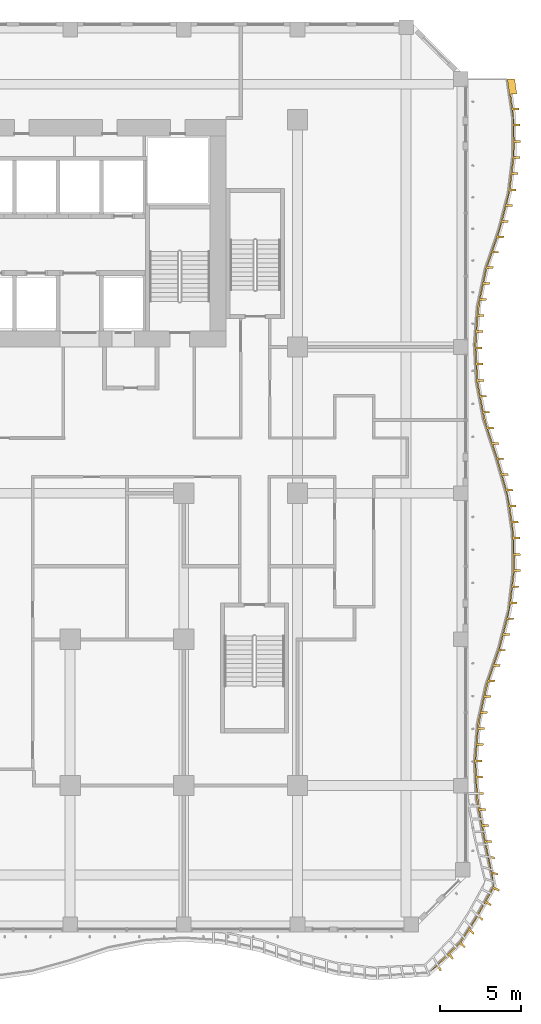
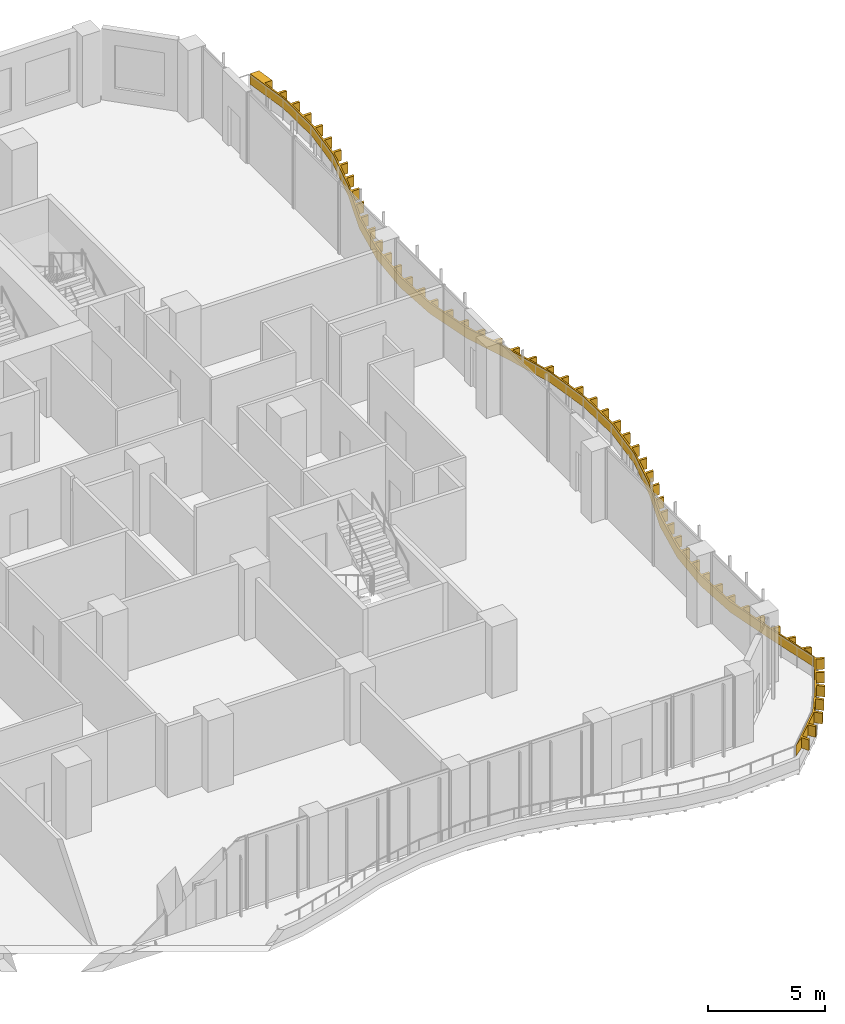
# One storey, part 25 of 28: 1 shading device.
"""IFC4 building model written with IfcOpenShell, lengths in metres."""

from ifc_helpers import new_model, si_unit, direction, frame, origin, place, context, subcontext, project, spatial, polyline, outline, extrude, source, transform, mapped, material, layer, layer_set, type_object, element, save


model = new_model("IFC4")

# Units and contexts
model_context = context("Model", 3, precision=1e-05, world=origin(), true_north=direction((0.0, 1.0)))
body_context = subcontext(model_context, "Body", "Model", "MODEL_VIEW")
ifc_project = project(units=[si_unit("LENGTHUNIT", "METRE"), si_unit("AREAUNIT", "SQUARE_METRE"), si_unit("VOLUMEUNIT", "CUBIC_METRE"), si_unit("PLANEANGLEUNIT", "RADIAN"), si_unit("MASSUNIT", "GRAM", prefix="KILO")], contexts=[model_context])

# Site, building, storey
site_placement = place(None, origin())
site = spatial("IfcSite", under=ifc_project, at=site_placement, CompositionType="ELEMENT")
building_placement = place(site_placement, origin())
building = spatial("IfcBuilding", under=site, at=building_placement, Name="Kilnfold Tower and Market Hall", CompositionType="ELEMENT")
storey_placement = place(building_placement, frame((0.0, 0.0, 87.199951171875)))
storey = spatial("IfcBuildingStorey", under=building, at=storey_placement, Name="L20", CompositionType="ELEMENT", Elevation=87.199951171875)

# Shading device
ifc_material = material(Name="Bronze anodised aluminium", Category="aluminium")
ifc_layer = layer(ifc_material, 0.550048828125)
ifc_layer_set = layer_set([ifc_layer], Name="Bronze anodised aluminium")
shading_device_type = type_object("IfcShadingDeviceType", Name="BRONZE SLAT FASCIA 550", PredefinedType="USERDEFINED", material=ifc_layer_set)
shared_shape = source(origin(), body_context, "Body", "SweptSolid", [
    extrude(outline(polyline([(31.275634765625, -30.4384765625), (31.1015625, -30.1162109375), (30.584228515625, -30.521484375), (32.484619140625, -28.651123046875), (33.4052734375, -27.238525390625), (34.57666015625, -25.153076171875), (33.94677734375, -22.166748046875), (33.518310546875, -19.833251953125), (33.402099609375, -17.5), (33.5927734375, -15.166748046875), (34.099853515625, -12.833251953125), (34.903564453125, -10.5), (35.501220703125, -8.166748046875), (35.7763671875, -5.833251953125), (35.743896484375, -3.5), (35.402099609375, -1.166748046875), (34.732421875, 1.166748046875), (33.964599609375, 3.5), (33.526611328125, 5.833251953125), (33.4013671875, 8.166748046875), (33.58251953125, 10.5), (34.07958984375, 12.833251953125), (34.880126953125, 15.166748046875), (35.48779296875, 17.5), (35.7724609375, 19.833251953125), (35.74951171875, 22.166748046875), (35.417236328125, 24.5), (35.8671875, 24.5), (35.997314453125, 23.5859375), (35.627197265625, 23.5859375), (35.75146484375, 22.714599609375), (36.121337890625, 22.714599609375), (36.13818359375, 22.595947265625), (35.768310546875, 22.595947265625), (35.833740234375, 21.72021484375), (36.203857421875, 21.72021484375), (36.205078125, 21.60009765625), (35.8349609375, 21.60009765625), (35.84375, 20.72021484375), (36.213623046875, 20.72021484375), (36.21484375, 20.600341796875), (35.844970703125, 20.600341796875), (35.8388671875, 19.72119140625), (36.208740234375, 19.72119140625), (36.1943359375, 19.60205078125), (35.82421875, 19.60205078125), (35.7177734375, 18.728515625), (36.087646484375, 18.728515625), (36.0732421875, 18.609375), (35.703125, 18.609375), (35.5966796875, 17.73583984375), (35.966796875, 17.73583984375), (35.9521484375, 17.61669921875), (35.58203125, 17.61669921875), (35.375732421875, 16.76220703125), (35.74560546875, 16.76220703125), (35.715576171875, 16.64599609375), (35.345458984375, 16.64599609375), (35.12353515625, 15.79443359375), (35.49365234375, 15.79443359375), (35.46337890625, 15.678466796875), (35.093505859375, 15.678466796875), (34.84619140625, 14.83447265625), (35.216064453125, 14.83447265625), (35.17724609375, 14.720947265625), (34.80712890625, 14.720947265625), (34.521728515625, 13.888671875), (34.8916015625, 13.888671875), (34.852783203125, 13.77490234375), (34.482666015625, 13.77490234375), (34.197265625, 12.942626953125), (34.567138671875, 12.942626953125), (34.52880859375, 12.8291015625), (34.15869140625, 12.8291015625), (33.975341796875, 11.96826171875), (34.34521484375, 11.96826171875), (34.3203125, 11.85107421875), (33.9501953125, 11.85107421875), (33.766845703125, 10.990234375), (34.136962890625, 10.990234375), (34.11181640625, 10.872802734375), (33.741943359375, 10.872802734375), (33.623779296875, 10.002685546875), (33.993896484375, 10.002685546875), (33.984619140625, 9.88330078125), (33.614501953125, 9.88330078125), (33.54638671875, 9.005859375), (33.91650390625, 9.005859375), (33.906982421875, 8.88623046875), (33.537109375, 8.88623046875), (33.48974609375, 8.008544921875), (33.85986328125, 8.008544921875), (33.8662109375, 7.888671875), (33.49609375, 7.888671875), (33.54345703125, 7.010009765625), (33.913330078125, 7.010009765625), (33.919921875, 6.89013671875), (33.5498046875, 6.89013671875), (33.596923828125, 6.011474609375), (33.966796875, 6.011474609375), (33.973388671875, 5.8916015625), (33.603515625, 5.8916015625), (33.758056640625, 5.02587890625), (34.128173828125, 5.02587890625), (34.150390625, 4.907958984375), (33.7802734375, 4.907958984375), (33.942626953125, 4.04296875), (34.312744140625, 4.04296875), (34.3349609375, 3.925048828125), (33.96484375, 3.925048828125), (34.1845703125, 3.074951171875), (34.554443359375, 3.074951171875), (34.592041015625, 2.9609375), (34.221923828125, 2.9609375), (34.4970703125, 2.125), (34.866943359375, 2.125), (34.904541015625, 2.010986328125), (34.534423828125, 2.010986328125), (34.8095703125, 1.175048828125), (35.179443359375, 1.175048828125), (35.182373046875, 1.166748046875), (35.212890625, 1.059814453125), (34.843017578125, 1.059814453125), (35.085693359375, 0.214111328125), (35.455810546875, 0.214111328125), (35.489013671875, 0.0986328125), (35.118896484375, 0.0986328125), (35.36181640625, -0.747314453125), (35.731689453125, -0.747314453125), (35.764892578125, -0.862548828125), (35.39501953125, -0.862548828125), (35.56396484375, -1.724365234375), (35.933837890625, -1.724365234375), (35.951171875, -1.843017578125), (35.581298828125, -1.843017578125), (35.708740234375, -2.713623046875), (36.078857421875, -2.713623046875), (36.09619140625, -2.83251953125), (35.72607421875, -2.83251953125), (35.826904296875, -3.705322265625), (36.19677734375, -3.705322265625), (36.198486328125, -3.8251953125), (35.828369140625, -3.8251953125), (35.840576171875, -4.705078125), (36.210693359375, -4.705078125), (36.21240234375, -4.8251953125), (35.84228515625, -4.8251953125), (35.8544921875, -5.705078125), (36.224609375, -5.705078125), (36.226318359375, -5.8251953125), (35.856201171875, -5.8251953125), (35.754150390625, -6.69921875), (36.124267578125, -6.69921875), (36.110107421875, -6.818359375), (35.740234375, -6.818359375), (35.63720703125, -7.6923828125), (36.007080078125, -7.6923828125), (35.9931640625, -7.811279296875), (35.623046875, -7.811279296875), (35.45166015625, -8.672607421875), (35.821533203125, -8.672607421875), (35.791748046875, -8.788818359375), (35.421875, -8.788818359375), (35.20361328125, -9.641357421875), (35.573486328125, -9.641357421875), (35.543701171875, -9.757568359375), (35.173583984375, -9.757568359375), (34.946533203125, -10.607421875), (35.31640625, -10.607421875), (35.27734375, -10.720947265625), (34.907470703125, -10.720947265625), (34.620849609375, -11.552978515625), (34.990966796875, -11.552978515625), (34.951904296875, -11.66650390625), (34.581787109375, -11.66650390625), (34.295166015625, -12.498291015625), (34.665283203125, -12.498291015625), (34.626220703125, -12.61181640625), (34.256103515625, -12.61181640625), (34.042724609375, -13.46435546875), (34.41259765625, -13.46435546875), (34.38720703125, -13.581787109375), (34.017333984375, -13.581787109375), (33.830322265625, -14.441650390625), (34.200439453125, -14.441650390625), (34.1748046875, -14.558837890625), (33.804931640625, -14.558837890625), (33.65185546875, -15.423828125), (34.021728515625, -15.423828125), (34.011962890625, -15.54345703125), (33.64208984375, -15.54345703125), (33.5703125, -16.42041015625), (33.9404296875, -16.42041015625), (33.9306640625, -16.5400390625), (33.560546875, -16.5400390625), (33.489013671875, -17.417236328125), (33.85888671875, -17.417236328125), (33.85400390625, -17.536865234375), (33.48388671875, -17.536865234375), (33.527587890625, -18.415771484375), (33.897705078125, -18.415771484375), (33.90380859375, -18.53564453125), (33.53369140625, -18.53564453125), (33.577392578125, -19.41455078125), (33.947509765625, -19.41455078125), (33.953369140625, -19.534423828125), (33.583251953125, -19.534423828125), (33.703125, -20.404541015625), (34.072998046875, -20.404541015625), (34.0947265625, -20.5224609375), (33.724853515625, -20.5224609375), (33.8837890625, -21.387939453125), (34.253662109375, -21.387939453125), (34.275390625, -21.506103515625), (33.905517578125, -21.506103515625), (34.067626953125, -22.367919921875), (34.436279296875, -22.377197265625), (34.459228515625, -22.49853515625), (34.09130859375, -22.483642578125), (34.265869140625, -23.333251953125), (34.627197265625, -23.388427734375), (34.64990234375, -23.509765625), (34.289794921875, -23.44921875), (34.4658203125, -24.298828125), (34.81787109375, -24.3994140625), (34.8408203125, -24.520751953125), (34.489990234375, -24.414794921875), (34.609619140625, -25.255615234375), (34.94921875, -25.401611328125), (34.887451171875, -25.510009765625), (34.551513671875, -25.358154296875), (34.126708984375, -26.109619140625), (34.435302734375, -26.304931640625), (34.37353515625, -26.413330078125), (34.06884765625, -26.2119140625), (33.646484375, -26.96484375), (33.92138671875, -27.20849609375), (33.85986328125, -27.31689453125), (33.5888671875, -27.067626953125), (33.126220703125, -27.809814453125), (33.3876953125, -28.071533203125), (33.322265625, -28.172119140625), (33.060791015625, -27.910400390625), (32.580078125, -28.647705078125), (32.841796875, -28.9091796875), (32.802734375, -28.96923828125), (32.7666015625, -29.00390625), (32.5068359375, -28.740966796875), (31.8876953125, -29.34521484375), (32.110595703125, -29.63525390625), (32.02099609375, -29.72119140625), (31.803466796875, -29.427734375), (31.185791015625, -30.033447265625), (31.364990234375, -30.352294921875), (31.275634765625, -30.4384765625)])), origin(), (0.0, 0.0, 1.0), 0.550048828125),
])
shading_device_placement = place(storey_placement, frame((0.0, 0.0, 0.550048828125)))
element("IfcShadingDevice", 1, at=shading_device_placement, inside=storey, type_object=shading_device_type, Name="Balcony slat fascia L20", ObjectType="SLAT", PredefinedType="USERDEFINED", context=body_context, shape_type="MappedRepresentation", body=[
    mapped(shared_shape, transform((0.0, 0.0, 0.0))),
])

save(model, "model.ifc")
